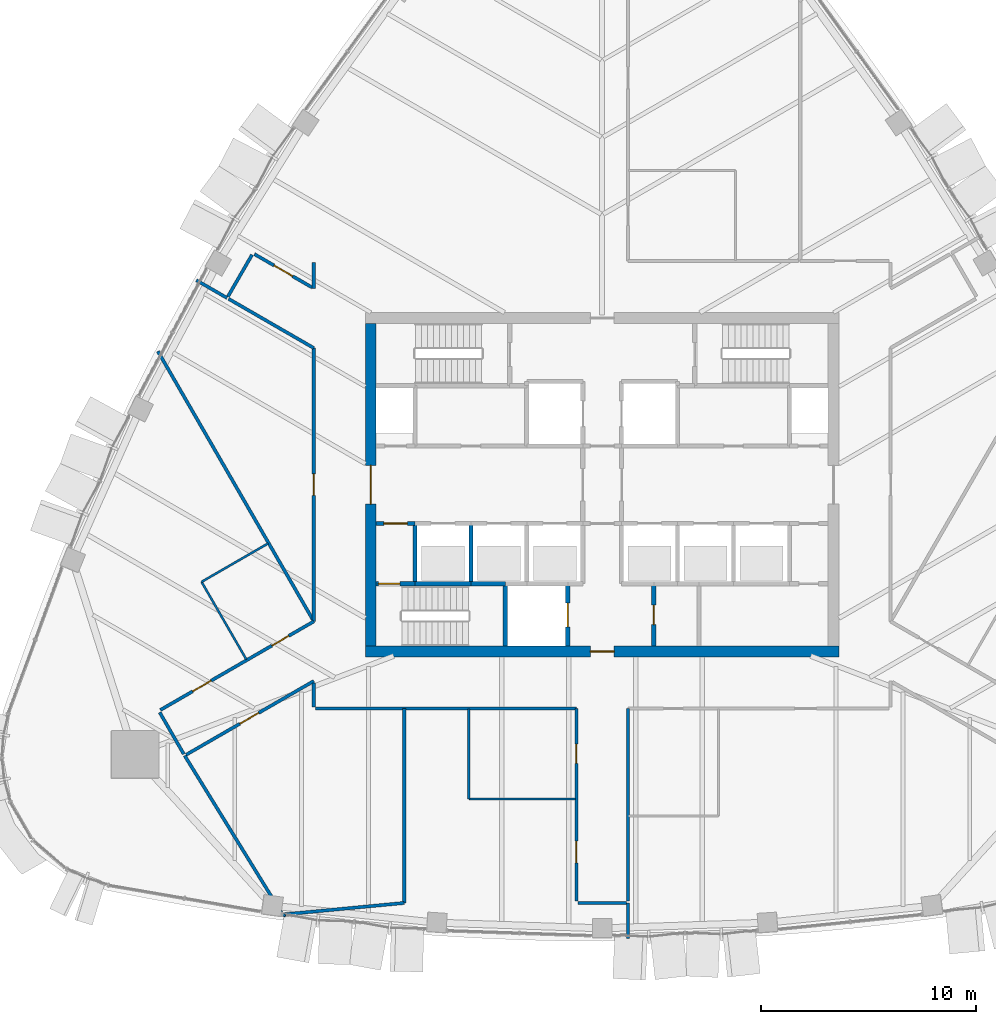
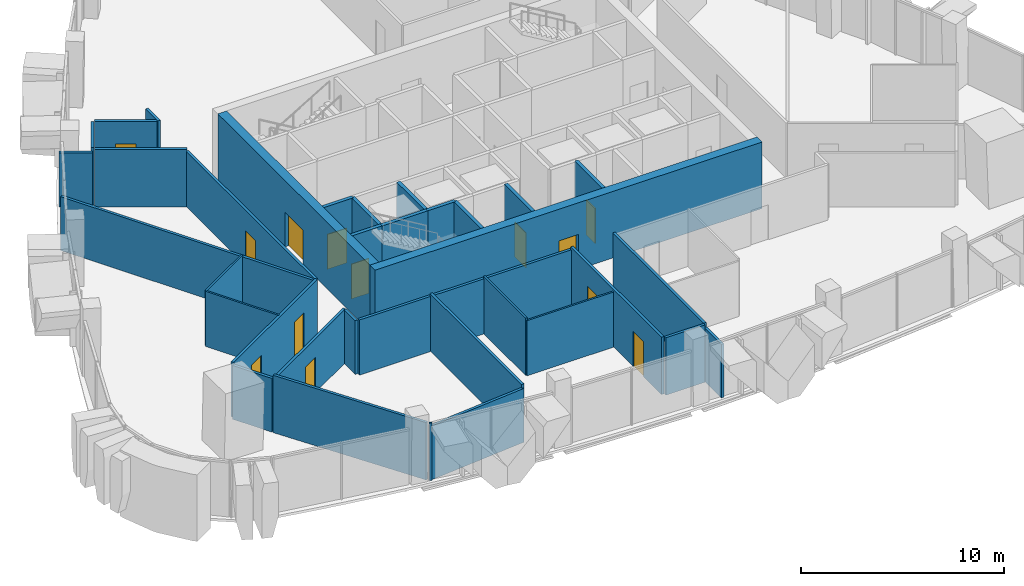
# One storey, part 11 of 18: 35 walls, 13 doors, 13 openings.
"""IFC4 building model written with IfcOpenShell, lengths in metres."""

from ifc_helpers import new_model, si_unit, direction, frame, frame_2d, origin, place, context, subcontext, project, spatial, rectangle, extrude, material, layer, layer_set, type_object, element, fill, save


model = new_model("IFC4")

# Units and contexts
model_context = context("Model", 3, precision=1e-05, world=origin(), true_north=direction((0.0, 1.0)))
body_context = subcontext(model_context, "Body", "Model", "MODEL_VIEW")
ifc_project = project(units=[si_unit("LENGTHUNIT", "METRE"), si_unit("AREAUNIT", "SQUARE_METRE"), si_unit("VOLUMEUNIT", "CUBIC_METRE"), si_unit("PLANEANGLEUNIT", "RADIAN"), si_unit("MASSUNIT", "GRAM", prefix="KILO")], contexts=[model_context])

# Site, building, storey
site_placement = place(None, origin())
site = spatial("IfcSite", under=ifc_project, at=site_placement, CompositionType="ELEMENT")
building_placement = place(site_placement, origin())
building = spatial("IfcBuilding", under=site, at=building_placement, Name="Sierra Prisma Convention Tower", CompositionType="ELEMENT")
storey_placement = place(building_placement, frame((0.0, 0.0, 251.0)))
storey = spatial("IfcBuildingStorey", under=building, at=storey_placement, Name="L56", CompositionType="ELEMENT", Elevation=251.0)

# Walls
ifc_material_1 = material(Name="Gypsum board partition", Category="gypsum")
ifc_layer_1 = layer(ifc_material_1, 0.10009765625)
ifc_layer_set_1 = layer_set([ifc_layer_1], Name="Bathroom partition 100")
wall_type_1 = type_object("IfcWallType", Name="Bathroom partition 100", PredefinedType="PARTITIONING", material=ifc_layer_set_1)
wall_1_placement = place(storey_placement, frame((-16.53271484375, -8.125, 0.0), z_axis=(0.0, 0.0, 1.0), x_axis=(-0.499967396439, 0.866044226641, 0.0)))
element("IfcWall", 1, at=wall_1_placement, inside=storey, type_object=wall_type_1, Name="Partition L56 bath 1", PredefinedType="PARTITIONING", context=body_context, shape_type="SweptSolid", body=[
    extrude(rectangle(XDim=4.170166015625, YDim=0.10009765625, at=frame_2d((2.0849609375, 0.0))), origin(), (0.0, 0.0, 1.0), 3.31689453125),
])
wall_2_placement = place(storey_placement, frame((-18.61767578125, -4.513427734375, 0.0), z_axis=(0.0, 0.0, 1.0), x_axis=(0.866042098853, 0.499971082179, 0.0)))
element("IfcWall", 2, at=wall_2_placement, inside=storey, type_object=wall_type_1, Name="Partition L56 bath 2", PredefinedType="PARTITIONING", context=body_context, shape_type="SweptSolid", body=[
    extrude(rectangle(XDim=3.570068359375, YDim=0.10009765625, at=frame_2d((1.78515625, 0.0))), origin(), (0.0, 0.0, 1.0), 3.31689453125),
])
wall_3_placement = place(storey_placement, frame((-1.22998046875, -14.60009765625, 0.0), z_axis=(0.0, 0.0, 1.0), x_axis=(-1.0, 0.0, 0.0)))
element("IfcWall", 3, at=wall_3_placement, inside=storey, type_object=wall_type_1, Name="Partition L56 bath 3", PredefinedType="PARTITIONING", context=body_context, shape_type="SweptSolid", body=[
    extrude(rectangle(XDim=4.969970703125, YDim=0.10009765625, at=frame_2d((2.48486328125, 0.0))), origin(), (0.0, 0.0, 1.0), 3.31689453125),
])
wall_4_placement = place(storey_placement, frame((-6.199951171875, -14.60009765625, 0.0), z_axis=(0.0, 0.0, 1.0), x_axis=(0.0, 1.0, 0.0)))
element("IfcWall", 4, at=wall_4_placement, inside=storey, type_object=wall_type_1, Name="Partition L56 bath 4", PredefinedType="PARTITIONING", context=body_context, shape_type="SweptSolid", body=[
    extrude(rectangle(XDim=4.170166015625, YDim=0.10009765625, at=frame_2d((2.0849609375, 0.0))), origin(), (0.0, 0.0, 1.0), 3.449951171875),
])

# Wall, opening, door
ifc_material_2 = material(Name="Concrete C30/37", Category="concrete")
ifc_layer_2 = layer(ifc_material_2, 0.199951171875)
ifc_layer_set_2 = layer_set([ifc_layer_2], Name="Core wall RC 200 C30/37")
wall_type_2 = type_object("IfcWallType", Name="Core wall RC 200 C30/37", PredefinedType="SOLIDWALL", material=ifc_layer_set_2)
wall_5_placement = place(storey_placement, frame((-10.5, -4.60009765625, 0.0), z_axis=(0.0, 0.0, 1.0), x_axis=(1.0, 0.0, 0.0)))
wall_5 = element("IfcWall", 5, at=wall_5_placement, inside=storey, type_object=wall_type_2, Name="Core wall L56 1", PredefinedType="SOLIDWALL", context=body_context, shape_type="SweptSolid", body=[
    extrude(rectangle(XDim=1.800048828125, YDim=0.199951171875, at=frame_2d((0.89990234375, 0.0))), origin(), (0.0, 0.0, 1.0), 3.85009765625),
])
opening_1_placement = place(wall_5_placement, frame((0.10009765625, 0.0, 0.0)))
opening_1 = element("IfcOpeningElement", 6, at=opening_1_placement, cuts=wall_5, Name="Opening L56-D017", PredefinedType="OPENING", context=body_context, shape_type="SweptSolid", body=[
    extrude(rectangle(XDim=1.0, YDim=2.10009765625, at=frame_2d((0.5, 1.050048828125))), frame((0.0, 0.10009765625, 0.0), z_axis=(0.0, -1.0, 0.0), x_axis=(1.0, 0.0, 0.0)), (0.0, 0.0, 1.0), 0.199951171875),
])
ifc_material_3 = material(Name="Steel fire door leaf", Category="steel")
door_type_1 = type_object("IfcDoorType", Name="Door 1000x2100 FD90S", OperationType="SINGLE_SWING_LEFT", PredefinedType="DOOR", material=ifc_material_3)
door_1_placement = place(opening_1_placement, origin())
door_1 = element("IfcDoor", 7, at=door_1_placement, inside=storey, type_object=door_type_1, Name="Door L56 32", OperationType="SINGLE_SWING_LEFT", OverallHeight=2.10009765625, OverallWidth=1.0, PredefinedType="DOOR", context=body_context, shape_type="SweptSolid", body=[
    extrude(rectangle(XDim=1.0, YDim=2.10009765625, at=frame_2d((0.5, 1.050048828125))), frame((0.0, 0.02490234375, 0.0), z_axis=(0.0, -1.0, 0.0), x_axis=(1.0, 0.0, 0.0)), (0.0, 0.0, 1.0), 0.050048828125),
])
fill(opening_1, door_1)

wall_6_placement = place(storey_placement, frame((-10.5, -1.800048828125, 0.0), z_axis=(0.0, 0.0, 1.0), x_axis=(1.0, 0.0, 0.0)))
wall_6 = element("IfcWall", 8, at=wall_6_placement, inside=storey, type_object=wall_type_2, Name="Core wall L56 2", PredefinedType="SOLIDWALL", context=body_context, shape_type="SweptSolid", body=[
    extrude(rectangle(XDim=1.800048828125, YDim=0.199951171875, at=frame_2d((0.89990234375, 0.0))), origin(), (0.0, 0.0, 1.0), 3.85009765625),
])
opening_2_placement = place(wall_6_placement, frame((0.35009765625, 0.0, 0.0)))
opening_2 = element("IfcOpeningElement", 9, at=opening_2_placement, cuts=wall_6, Name="Opening L56-D012", PredefinedType="OPENING", context=body_context, shape_type="SweptSolid", body=[
    extrude(rectangle(XDim=1.10009765625, YDim=2.10009765625, at=frame_2d((0.550048828125, 1.050048828125))), frame((0.0, 0.10009765625, 0.0), z_axis=(0.0, -1.0, 0.0), x_axis=(1.0, 0.0, 0.0)), (0.0, 0.0, 1.0), 0.199951171875),
])
ifc_material_4 = material(Name="Steel fire door leaf", Category="steel")
door_type_2 = type_object("IfcDoorType", Name="Door 1100x2100 FD90S", OperationType="SINGLE_SWING_LEFT", PredefinedType="DOOR", material=ifc_material_4)
door_2_placement = place(opening_2_placement, origin())
door_2 = element("IfcDoor", 10, at=door_2_placement, inside=storey, type_object=door_type_2, Name="Door L56 27", OperationType="SINGLE_SWING_LEFT", OverallHeight=2.10009765625, OverallWidth=1.10009765625, PredefinedType="DOOR", context=body_context, shape_type="SweptSolid", body=[
    extrude(rectangle(XDim=1.10009765625, YDim=2.10009765625, at=frame_2d((0.550048828125, 1.050048828125))), frame((0.0, 0.02490234375, 0.0), z_axis=(0.0, -1.0, 0.0), x_axis=(1.0, 0.0, 0.0)), (0.0, 0.0, 1.0), 0.050048828125),
])
fill(opening_2, door_2)

# Walls
wall_7_placement = place(storey_placement, frame((-8.699951171875, -4.60009765625, 0.0), z_axis=(0.0, 0.0, 1.0), x_axis=(1.0, 0.0, 0.0)))
element("IfcWall", 11, at=wall_7_placement, inside=storey, type_object=wall_type_2, Name="Core wall L56 5", PredefinedType="SOLIDWALL", context=body_context, shape_type="SweptSolid", body=[
    extrude(rectangle(XDim=2.599853515625, YDim=0.199951171875, at=frame_2d((1.2998046875, 0.0))), origin(), (0.0, 0.0, 1.0), 3.85009765625),
])
wall_8_placement = place(storey_placement, frame((-8.699951171875, -4.60009765625, 0.0), z_axis=(0.0, 0.0, 1.0), x_axis=(0.0, 1.0, 0.0)))
element("IfcWall", 12, at=wall_8_placement, inside=storey, type_object=wall_type_2, Name="Core wall L56 6", PredefinedType="SOLIDWALL", context=body_context, shape_type="SweptSolid", body=[
    extrude(rectangle(XDim=2.800048828125, YDim=0.199951171875, at=frame_2d((1.39990234375, 0.0))), origin(), (0.0, 0.0, 1.0), 3.85009765625),
])
wall_9_placement = place(storey_placement, frame((-6.10009765625, -4.60009765625, 0.0), z_axis=(0.0, 0.0, 1.0), x_axis=(1.0, 0.0, 0.0)))
element("IfcWall", 13, at=wall_9_placement, inside=storey, type_object=wall_type_2, Name="Core wall L56 11", PredefinedType="SOLIDWALL", context=body_context, shape_type="SweptSolid", body=[
    extrude(rectangle(XDim=1.60009765625, YDim=0.199951171875, at=frame_2d((0.800048828125, 0.0))), origin(), (0.0, 0.0, 1.0), 3.85009765625),
])
wall_10_placement = place(storey_placement, frame((-6.10009765625, -4.60009765625, 0.0), z_axis=(0.0, 0.0, 1.0), x_axis=(0.0, 1.0, 0.0)))
element("IfcWall", 14, at=wall_10_placement, inside=storey, type_object=wall_type_2, Name="Core wall L56 12", PredefinedType="SOLIDWALL", context=body_context, shape_type="SweptSolid", body=[
    extrude(rectangle(XDim=2.800048828125, YDim=0.199951171875, at=frame_2d((1.39990234375, 0.0))), origin(), (0.0, 0.0, 1.0), 3.85009765625),
])
wall_11_placement = place(storey_placement, frame((-4.5, -4.60009765625, 0.0), z_axis=(0.0, 0.0, 1.0), x_axis=(0.0, -1.0, 0.0)))
element("IfcWall", 15, at=wall_11_placement, inside=storey, type_object=wall_type_2, Name="Core wall L56 14", PredefinedType="SOLIDWALL", context=body_context, shape_type="SweptSolid", body=[
    extrude(rectangle(XDim=2.89990234375, YDim=0.199951171875, at=frame_2d((1.449951171875, 0.0))), origin(), (0.0, 0.0, 1.0), 3.85009765625),
])

# Wall, opening, door
wall_12_placement = place(storey_placement, frame((-1.60009765625, -7.5, 0.0), z_axis=(0.0, 0.0, 1.0), x_axis=(0.0, 1.0, 0.0)))
wall_12 = element("IfcWall", 16, at=wall_12_placement, inside=storey, type_object=wall_type_2, Name="Core wall L56 26", PredefinedType="SOLIDWALL", context=body_context, shape_type="SweptSolid", body=[
    extrude(rectangle(XDim=2.89990234375, YDim=0.199951171875, at=frame_2d((1.449951171875, 0.0))), origin(), (0.0, 0.0, 1.0), 3.85009765625),
])
opening_3_placement = place(wall_12_placement, frame((0.89990234375, 0.0, 0.0)))
opening_3 = element("IfcOpeningElement", 17, at=opening_3_placement, cuts=wall_12, Name="Opening L56-D009", PredefinedType="OPENING", context=body_context, shape_type="SweptSolid", body=[
    extrude(rectangle(XDim=1.10009765625, YDim=2.10009765625, at=frame_2d((0.550048828125, 1.050048828125))), frame((0.0, 0.10009765625, 0.0), z_axis=(0.0, -1.0, 0.0), x_axis=(1.0, 0.0, 0.0)), (0.0, 0.0, 1.0), 0.199951171875),
])
ifc_material_5 = material(Name="Steel fire door leaf", Category="steel")
door_type_3 = type_object("IfcDoorType", Name="Door 1100x2100 EI 90 sliding lift landing", OperationType="SLIDING_TO_LEFT", PredefinedType="DOOR", material=ifc_material_5)
door_3_placement = place(opening_3_placement, origin())
door_3 = element("IfcDoor", 18, at=door_3_placement, inside=storey, type_object=door_type_3, Name="Door L56 24", OperationType="SLIDING_TO_LEFT", OverallHeight=2.10009765625, OverallWidth=1.10009765625, PredefinedType="DOOR", context=body_context, shape_type="SweptSolid", body=[
    extrude(rectangle(XDim=1.10009765625, YDim=2.10009765625, at=frame_2d((0.550048828125, 1.050048828125))), frame((0.0, 0.02490234375, 0.0), z_axis=(0.0, -1.0, 0.0), x_axis=(1.0, 0.0, 0.0)), (0.0, 0.0, 1.0), 0.050048828125),
])
fill(opening_3, door_3)

wall_13_placement = place(storey_placement, frame((2.39990234375, -4.60009765625, 0.0), z_axis=(0.0, 0.0, 1.0), x_axis=(0.0, -1.0, 0.0)))
wall_13 = element("IfcWall", 19, at=wall_13_placement, inside=storey, type_object=wall_type_2, Name="Core wall L56 40", PredefinedType="SOLIDWALL", context=body_context, shape_type="SweptSolid", body=[
    extrude(rectangle(XDim=2.89990234375, YDim=0.199951171875, at=frame_2d((1.449951171875, 0.0))), origin(), (0.0, 0.0, 1.0), 3.85009765625),
])
opening_4_placement = place(wall_13_placement, frame((1.0, 0.0, 0.0)))
opening_4 = element("IfcOpeningElement", 20, at=opening_4_placement, cuts=wall_13, Name="Opening L56-D024", PredefinedType="OPENING", context=body_context, shape_type="SweptSolid", body=[
    extrude(rectangle(XDim=0.89990234375, YDim=2.10009765625, at=frame_2d((0.449951171875, 1.050048828125))), frame((0.0, 0.10009765625, 0.0), z_axis=(0.0, -1.0, 0.0), x_axis=(1.0, 0.0, 0.0)), (0.0, 0.0, 1.0), 0.199951171875),
])
ifc_material_6 = material(Name="Steel fire door leaf", Category="steel")
door_type_4 = type_object("IfcDoorType", Name="Door 900x2100 FD30S", OperationType="SINGLE_SWING_LEFT", PredefinedType="DOOR", material=ifc_material_6)
door_4_placement = place(opening_4_placement, origin())
door_4 = element("IfcDoor", 21, at=door_4_placement, inside=storey, type_object=door_type_4, Name="Door L56 39", OperationType="SINGLE_SWING_RIGHT", OverallHeight=2.10009765625, OverallWidth=0.89990234375, PredefinedType="DOOR", context=body_context, shape_type="SweptSolid", body=[
    extrude(rectangle(XDim=0.89990234375, YDim=2.10009765625, at=frame_2d((0.449951171875, 1.050048828125))), frame((0.0, 0.02490234375, 0.0), z_axis=(0.0, -1.0, 0.0), x_axis=(1.0, 0.0, 0.0)), (0.0, 0.0, 1.0), 0.050048828125),
])
fill(opening_4, door_4)

ifc_material_7 = material(Name="Concrete C50/60", Category="concrete")
ifc_layer_3 = layer(ifc_material_7, 0.5)
ifc_layer_set_3 = layer_set([ifc_layer_3], Name="Core wall RC 500 C50/60")
wall_type_3 = type_object("IfcWallType", Name="Core wall RC 500 C50/60", PredefinedType="SHEAR", material=ifc_layer_set_3)
wall_14_placement = place(storey_placement, frame((-11.0, -7.75, 0.0), z_axis=(0.0, 0.0, 1.0), x_axis=(1.0, 0.0, 0.0)))
wall_14 = element("IfcWall", 22, at=wall_14_placement, inside=storey, type_object=wall_type_3, Name="Core wall S L56", PredefinedType="SHEAR", context=body_context, shape_type="SweptSolid", body=[
    extrude(rectangle(XDim=22.0, YDim=0.5, at=frame_2d((11.0, 0.0))), origin(), (0.0, 0.0, 1.0), 4.0),
])
opening_5_placement = place(wall_14_placement, frame((10.449951171875, 0.0, 0.0)))
opening_5 = element("IfcOpeningElement", 23, at=opening_5_placement, cuts=wall_14, Name="Opening L56-D042", PredefinedType="OPENING", context=body_context, shape_type="SweptSolid", body=[
    extrude(rectangle(XDim=1.10009765625, YDim=2.10009765625, at=frame_2d((0.550048828125, 1.050048828125))), frame((0.0, 0.25, 0.0), z_axis=(0.0, -1.0, 0.0), x_axis=(1.0, 0.0, 0.0)), (0.0, 0.0, 1.0), 0.5),
])
ifc_material_8 = material(Name="Steel fire door leaf", Category="steel")
door_type_5 = type_object("IfcDoorType", Name="Door 1100x2100 FD30S", OperationType="SINGLE_SWING_LEFT", PredefinedType="DOOR", material=ifc_material_8)
door_5_placement = place(opening_5_placement, origin())
door_5 = element("IfcDoor", 24, at=door_5_placement, inside=storey, type_object=door_type_5, Name="Door L56 43", OperationType="SINGLE_SWING_LEFT", OverallHeight=2.10009765625, OverallWidth=1.10009765625, PredefinedType="DOOR", context=body_context, shape_type="SweptSolid", body=[
    extrude(rectangle(XDim=1.10009765625, YDim=2.10009765625, at=frame_2d((0.550048828125, 1.050048828125))), frame((0.0, 0.02490234375, 0.0), z_axis=(0.0, -1.0, 0.0), x_axis=(1.0, 0.0, 0.0)), (0.0, 0.0, 1.0), 0.050048828125),
])
fill(opening_5, door_5)

wall_15_placement = place(storey_placement, frame((-10.75, -7.5, 0.0), z_axis=(0.0, 0.0, 1.0), x_axis=(0.0, 1.0, 0.0)))
wall_15 = element("IfcWall", 25, at=wall_15_placement, inside=storey, type_object=wall_type_3, Name="Core wall W L56", PredefinedType="SHEAR", context=body_context, shape_type="SweptSolid", body=[
    extrude(rectangle(XDim=15.0, YDim=0.5, at=frame_2d((7.5, 0.0))), origin(), (0.0, 0.0, 1.0), 4.0),
])
opening_6_placement = place(wall_15_placement, frame((6.60009765625, 0.0, 0.0)))
opening_6 = element("IfcOpeningElement", 26, at=opening_6_placement, cuts=wall_15, Name="Opening L56-D043", PredefinedType="OPENING", context=body_context, shape_type="SweptSolid", body=[
    extrude(rectangle(XDim=1.800048828125, YDim=2.10009765625, at=frame_2d((0.89990234375, 1.050048828125))), frame((0.0, 0.25, 0.0), z_axis=(0.0, -1.0, 0.0), x_axis=(1.0, 0.0, 0.0)), (0.0, 0.0, 1.0), 0.5),
])
ifc_material_9 = material(Name="Steel fire door leaf", Category="steel")
door_type_6 = type_object("IfcDoorType", Name="Door 1800x2100 FD60S", OperationType="DOUBLE_DOOR_SINGLE_SWING", PredefinedType="DOOR", material=ifc_material_9)
door_6_placement = place(opening_6_placement, origin())
door_6 = element("IfcDoor", 27, at=door_6_placement, inside=storey, type_object=door_type_6, Name="Door L56 40", OperationType="DOUBLE_DOOR_SINGLE_SWING", OverallHeight=2.10009765625, OverallWidth=1.800048828125, PredefinedType="DOOR", context=body_context, shape_type="SweptSolid", body=[
    extrude(rectangle(XDim=1.800048828125, YDim=2.10009765625, at=frame_2d((0.89990234375, 1.050048828125))), frame((0.0, 0.02490234375, 0.0), z_axis=(0.0, -1.0, 0.0), x_axis=(1.0, 0.0, 0.0)), (0.0, 0.0, 1.0), 0.050048828125),
])
fill(opening_6, door_6)

# Wall
ifc_material_10 = material(Name="Gypsum board partition", Category="gypsum")
ifc_layer_4 = layer(ifc_material_10, 0.14990234375)
ifc_layer_set_4 = layer_set([ifc_layer_4], Name="Corridor wall 150 gypsum EI 60")
wall_type_4 = type_object("IfcWallType", Name="Corridor wall 150 gypsum EI 60", PredefinedType="PARTITIONING", material=ifc_layer_set_4)
wall_16_placement = place(storey_placement, frame((-20.5625, -10.57861328125, 0.0), z_axis=(0.0, 0.0, 1.0), x_axis=(0.49994888933, -0.866054910533, 0.0)))
element("IfcWall", 28, at=wall_16_placement, inside=storey, type_object=wall_type_4, Name="Partition L56 corr 1", PredefinedType="PARTITIONING", context=body_context, shape_type="SweptSolid", body=[
    extrude(rectangle(XDim=2.239990234375, YDim=0.14990234375, at=frame_2d((1.1201171875, 0.0))), origin(), (0.0, 0.0, 1.0), 3.23291015625),
])

# Wall, openings, doors
wall_17_placement = place(storey_placement, frame((-13.39990234375, -6.350830078125, 0.0), z_axis=(0.0, 0.0, 1.0), x_axis=(-0.866025662596, -0.499999551726, 0.0)))
wall_17 = element("IfcWall", 29, at=wall_17_placement, inside=storey, type_object=wall_type_4, Name="Partition L56 corr 2", PredefinedType="PARTITIONING", context=body_context, shape_type="SweptSolid", body=[
    extrude(rectangle(XDim=8.23681640625, YDim=0.14990234375, at=frame_2d((4.118408203125, 0.0))), origin(), (0.0, 0.0, 1.0), 3.31689453125),
])
opening_7_placement = place(wall_17_placement, frame((1.35009765625, 0.0, 0.0)))
opening_7 = element("IfcOpeningElement", 30, at=opening_7_placement, cuts=wall_17, Name="Opening L56-D031", PredefinedType="OPENING", context=body_context, shape_type="SweptSolid", body=[
    extrude(rectangle(XDim=0.89990234375, YDim=2.10009765625, at=frame_2d((0.449951171875, 1.050048828125))), frame((0.0, 0.074951171875, 0.0), z_axis=(0.0, -1.0, 0.0), x_axis=(1.0, 0.0, 0.0)), (0.0, 0.0, 1.0), 0.14990234375),
])
opening_8_placement = place(wall_17_placement, frame((5.508544921875, 0.0, 0.0)))
opening_8 = element("IfcOpeningElement", 31, at=opening_8_placement, cuts=wall_17, Name="Opening L56-D032", PredefinedType="OPENING", context=body_context, shape_type="SweptSolid", body=[
    extrude(rectangle(XDim=1.0, YDim=2.10009765625, at=frame_2d((0.5, 1.050048828125))), frame((0.0, 0.074951171875, 0.0), z_axis=(0.0, -1.0, 0.0), x_axis=(1.0, 0.0, 0.0)), (0.0, 0.0, 1.0), 0.14990234375),
])
ifc_material_11 = material(Name="Steel fire door leaf", Category="steel")
door_type_7 = type_object("IfcDoorType", Name="Door 1000x2100 FD30S", OperationType="SINGLE_SWING_LEFT", PredefinedType="DOOR", material=ifc_material_11)
door_7_placement = place(opening_8_placement, origin())
door_7 = element("IfcDoor", 32, at=door_7_placement, inside=storey, type_object=door_type_7, Name="Door L56 8", OperationType="SINGLE_SWING_LEFT", OverallHeight=2.10009765625, OverallWidth=1.0, PredefinedType="DOOR", context=body_context, shape_type="SweptSolid", body=[
    extrude(rectangle(XDim=1.0, YDim=2.10009765625, at=frame_2d((0.5, 1.050048828125))), frame((0.0, 0.02490234375, 0.0), z_axis=(0.0, -1.0, 0.0), x_axis=(1.0, 0.0, 0.0)), (0.0, 0.0, 1.0), 0.050048828125),
])
fill(opening_8, door_7)
door_8_placement = place(opening_7_placement, origin())
door_8 = element("IfcDoor", 33, at=door_8_placement, inside=storey, type_object=door_type_4, Name="Door L56 7", OperationType="SINGLE_SWING_RIGHT", OverallHeight=2.10009765625, OverallWidth=0.89990234375, PredefinedType="DOOR", context=body_context, shape_type="SweptSolid", body=[
    extrude(rectangle(XDim=0.89990234375, YDim=2.10009765625, at=frame_2d((0.449951171875, 1.050048828125))), frame((0.0, 0.02490234375, 0.0), z_axis=(0.0, -1.0, 0.0), x_axis=(1.0, 0.0, 0.0)), (0.0, 0.0, 1.0), 0.050048828125),
])
fill(opening_7, door_8)

# Wall, opening, door
wall_18_placement = place(storey_placement, frame((-19.333251953125, -12.547607421875, 0.0), z_axis=(0.0, 0.0, 1.0), x_axis=(0.866030705461, 0.499990817114, 0.0)))
wall_18 = element("IfcWall", 34, at=wall_18_placement, inside=storey, type_object=wall_type_4, Name="Partition L56 corr 3", PredefinedType="PARTITIONING", context=body_context, shape_type="SweptSolid", body=[
    extrude(rectangle(XDim=6.851318359375, YDim=0.14990234375, at=frame_2d((3.42578125, 0.0))), origin(), (0.0, 0.0, 1.0), 3.23291015625),
])
opening_9_placement = place(wall_18_placement, frame((2.885498046875, 0.0, 0.0)))
opening_9 = element("IfcOpeningElement", 35, at=opening_9_placement, cuts=wall_18, Name="Opening L56-D033", PredefinedType="OPENING", context=body_context, shape_type="SweptSolid", body=[
    extrude(rectangle(XDim=1.0, YDim=2.10009765625, at=frame_2d((0.5, 1.050048828125))), frame((0.0, 0.074951171875, 0.0), z_axis=(0.0, -1.0, 0.0), x_axis=(1.0, 0.0, 0.0)), (0.0, 0.0, 1.0), 0.14990234375),
])
door_9_placement = place(opening_9_placement, origin())
door_9 = element("IfcDoor", 36, at=door_9_placement, inside=storey, type_object=door_type_7, Name="Door L56 9", OperationType="SINGLE_SWING_LEFT", OverallHeight=2.10009765625, OverallWidth=1.0, PredefinedType="DOOR", context=body_context, shape_type="SweptSolid", body=[
    extrude(rectangle(XDim=1.0, YDim=2.10009765625, at=frame_2d((0.5, 1.050048828125))), frame((0.0, 0.02490234375, 0.0), z_axis=(0.0, -1.0, 0.0), x_axis=(1.0, 0.0, 0.0)), (0.0, 0.0, 1.0), 0.050048828125),
])
fill(opening_9, door_9)

# Walls
wall_19_placement = place(storey_placement, frame((-13.39990234375, -9.213623046875, 0.0), z_axis=(0.0, 0.0, 1.0), x_axis=(0.0, -1.0, 0.0)))
element("IfcWall", 37, at=wall_19_placement, inside=storey, type_object=wall_type_4, Name="Partition L56 corr 4", PredefinedType="PARTITIONING", context=body_context, shape_type="SweptSolid", body=[
    extrude(rectangle(XDim=1.1064453125, YDim=0.14990234375, at=frame_2d((0.55322265625, 0.0))), origin(), (0.0, 0.0, 1.0), 3.23291015625),
])
wall_20_placement = place(storey_placement, frame((-16.2705078125, 10.68701171875, 0.0), z_axis=(0.0, 0.0, 1.0), x_axis=(-0.500077830873, -0.865980463445, 0.0)))
element("IfcWall", 38, at=wall_20_placement, inside=storey, type_object=wall_type_4, Name="Partition L56 corr 5", PredefinedType="PARTITIONING", context=body_context, shape_type="SweptSolid", body=[
    extrude(rectangle(XDim=2.239990234375, YDim=0.14990234375, at=frame_2d((1.1201171875, 0.0))), origin(), (0.0, 0.0, 1.0), 3.449951171875),
])
wall_21_placement = place(storey_placement, frame((-17.361328125, 8.637939453125, 0.0), z_axis=(0.0, 0.0, 1.0), x_axis=(0.866027379035, -0.49999657875, 0.0)))
element("IfcWall", 39, at=wall_21_placement, inside=storey, type_object=wall_type_4, Name="Partition L56 corr 6", PredefinedType="PARTITIONING", context=body_context, shape_type="SweptSolid", body=[
    extrude(rectangle(XDim=4.57421875, YDim=0.14990234375, at=frame_2d((2.287109375, 0.0))), origin(), (0.0, 0.0, 1.0), 3.449951171875),
])

# Wall, opening, door
wall_22_placement = place(storey_placement, frame((-13.39990234375, 6.350830078125, 0.0), z_axis=(0.0, 0.0, 1.0), x_axis=(0.0, -1.0, 0.0)))
wall_22 = element("IfcWall", 40, at=wall_22_placement, inside=storey, type_object=wall_type_4, Name="Partition L56 corr 7", PredefinedType="PARTITIONING", context=body_context, shape_type="SweptSolid", body=[
    extrude(rectangle(XDim=12.70166015625, YDim=0.14990234375, at=frame_2d((6.350830078125, 0.0))), origin(), (0.0, 0.0, 1.0), 3.31689453125),
])
opening_10_placement = place(wall_22_placement, frame((5.850830078125, 0.0, 0.0)))
opening_10 = element("IfcOpeningElement", 41, at=opening_10_placement, cuts=wall_22, Name="Opening L56-D030", PredefinedType="OPENING", context=body_context, shape_type="SweptSolid", body=[
    extrude(rectangle(XDim=1.0, YDim=2.10009765625, at=frame_2d((0.5, 1.050048828125))), frame((0.0, 0.074951171875, 0.0), z_axis=(0.0, -1.0, 0.0), x_axis=(1.0, 0.0, 0.0)), (0.0, 0.0, 1.0), 0.14990234375),
])
door_10_placement = place(opening_10_placement, origin())
door_10 = element("IfcDoor", 42, at=door_10_placement, inside=storey, type_object=door_type_7, Name="Door L56 6", OperationType="SINGLE_SWING_RIGHT", OverallHeight=2.10009765625, OverallWidth=1.0, PredefinedType="DOOR", context=body_context, shape_type="SweptSolid", body=[
    extrude(rectangle(XDim=1.0, YDim=2.10009765625, at=frame_2d((0.5, 1.050048828125))), frame((0.0, 0.02490234375, 0.0), z_axis=(0.0, -1.0, 0.0), x_axis=(1.0, 0.0, 0.0)), (0.0, 0.0, 1.0), 0.050048828125),
])
fill(opening_10, door_10)

# Wall
wall_23_placement = place(storey_placement, frame((-13.39990234375, 10.320068359375, 0.0), z_axis=(0.0, 0.0, 1.0), x_axis=(0.0, -1.0, 0.0)))
element("IfcWall", 43, at=wall_23_placement, inside=storey, type_object=wall_type_4, Name="Partition L56 corr 8", PredefinedType="PARTITIONING", context=body_context, shape_type="SweptSolid", body=[
    extrude(rectangle(XDim=1.197998046875, YDim=0.14990234375, at=frame_2d((0.59912109375, 0.0))), origin(), (0.0, 0.0, 1.0), 3.449951171875),
])

# Wall, opening, door
wall_24_placement = place(storey_placement, frame((-13.479248046875, 9.16796875, 0.0), z_axis=(0.0, 0.0, 1.0), x_axis=(-0.866051688794, 0.499954470265, 0.0)))
wall_24 = element("IfcWall", 44, at=wall_24_placement, inside=storey, type_object=wall_type_4, Name="Partition L56 corr 9", PredefinedType="PARTITIONING", context=body_context, shape_type="SweptSolid", body=[
    extrude(rectangle(XDim=3.096923828125, YDim=0.14990234375, at=frame_2d((1.54833984375, 0.0))), origin(), (0.0, 0.0, 1.0), 3.449951171875),
])
opening_11_placement = place(wall_24_placement, frame((1.042724609375, 0.0, 0.0)))
opening_11 = element("IfcOpeningElement", 45, at=opening_11_placement, cuts=wall_24, Name="Opening L56-D029", PredefinedType="OPENING", context=body_context, shape_type="SweptSolid", body=[
    extrude(rectangle(XDim=1.0, YDim=2.10009765625, at=frame_2d((0.5, 1.050048828125))), frame((0.0, 0.074951171875, 0.0), z_axis=(0.0, -1.0, 0.0), x_axis=(1.0, 0.0, 0.0)), (0.0, 0.0, 1.0), 0.14990234375),
])
door_11_placement = place(opening_11_placement, origin())
door_11 = element("IfcDoor", 46, at=door_11_placement, inside=storey, type_object=door_type_7, Name="Door L56 5", OperationType="SINGLE_SWING_RIGHT", OverallHeight=2.10009765625, OverallWidth=1.0, PredefinedType="DOOR", context=body_context, shape_type="SweptSolid", body=[
    extrude(rectangle(XDim=1.0, YDim=2.10009765625, at=frame_2d((0.5, 1.050048828125))), frame((0.0, 0.02490234375, 0.0), z_axis=(0.0, -1.0, 0.0), x_axis=(1.0, 0.0, 0.0)), (0.0, 0.0, 1.0), 0.050048828125),
])
fill(opening_11, door_11)

# Wall
wall_25_placement = place(storey_placement, frame((-13.320068359375, -10.39990234375, 0.0), z_axis=(0.0, 0.0, 1.0), x_axis=(1.0, 0.0, 0.0)))
element("IfcWall", 47, at=wall_25_placement, inside=storey, type_object=wall_type_4, Name="Partition L56 corr 10", PredefinedType="PARTITIONING", context=body_context, shape_type="SweptSolid", body=[
    extrude(rectangle(XDim=12.1201171875, YDim=0.14990234375, at=frame_2d((6.06005859375, 0.0))), origin(), (0.0, 0.0, 1.0), 3.31689453125),
])

# Wall, openings, doors
wall_26_placement = place(storey_placement, frame((-1.199951171875, -10.39990234375, 0.0), z_axis=(0.0, 0.0, 1.0), x_axis=(0.0, -1.0, 0.0)))
wall_26 = element("IfcWall", 48, at=wall_26_placement, inside=storey, type_object=wall_type_4, Name="Partition L56 corr 11", PredefinedType="PARTITIONING", context=body_context, shape_type="SweptSolid", body=[
    extrude(rectangle(XDim=8.954345703125, YDim=0.14990234375, at=frame_2d((4.47705078125, 0.0))), origin(), (0.0, 0.0, 1.0), 3.449951171875),
])
opening_12_placement = place(wall_26_placement, frame((1.64990234375, 0.0, 0.0)))
opening_12 = element("IfcOpeningElement", 49, at=opening_12_placement, cuts=wall_26, Name="Opening L56-D034", PredefinedType="OPENING", context=body_context, shape_type="SweptSolid", body=[
    extrude(rectangle(XDim=0.89990234375, YDim=2.10009765625, at=frame_2d((0.449951171875, 1.050048828125))), frame((0.0, 0.074951171875, 0.0), z_axis=(0.0, -1.0, 0.0), x_axis=(1.0, 0.0, 0.0)), (0.0, 0.0, 1.0), 0.14990234375),
])
opening_13_placement = place(wall_26_placement, frame((6.1669921875, 0.0, 0.0)))
opening_13 = element("IfcOpeningElement", 50, at=opening_13_placement, cuts=wall_26, Name="Opening L56-D035", PredefinedType="OPENING", context=body_context, shape_type="SweptSolid", body=[
    extrude(rectangle(XDim=1.0, YDim=2.10009765625, at=frame_2d((0.5, 1.050048828125))), frame((0.0, 0.074951171875, 0.0), z_axis=(0.0, -1.0, 0.0), x_axis=(1.0, 0.0, 0.0)), (0.0, 0.0, 1.0), 0.14990234375),
])
door_12_placement = place(opening_13_placement, origin())
door_12 = element("IfcDoor", 51, at=door_12_placement, inside=storey, type_object=door_type_7, Name="Door L56 11", OperationType="SINGLE_SWING_RIGHT", OverallHeight=2.10009765625, OverallWidth=1.0, PredefinedType="DOOR", context=body_context, shape_type="SweptSolid", body=[
    extrude(rectangle(XDim=1.0, YDim=2.10009765625, at=frame_2d((0.5, 1.050048828125))), frame((0.0, 0.02490234375, 0.0), z_axis=(0.0, -1.0, 0.0), x_axis=(1.0, 0.0, 0.0)), (0.0, 0.0, 1.0), 0.050048828125),
])
fill(opening_13, door_12)
door_13_placement = place(opening_12_placement, origin())
door_13 = element("IfcDoor", 52, at=door_13_placement, inside=storey, type_object=door_type_4, Name="Door L56 10", OperationType="SINGLE_SWING_LEFT", OverallHeight=2.10009765625, OverallWidth=0.89990234375, PredefinedType="DOOR", context=body_context, shape_type="SweptSolid", body=[
    extrude(rectangle(XDim=0.89990234375, YDim=2.10009765625, at=frame_2d((0.449951171875, 1.050048828125))), frame((0.0, 0.02490234375, 0.0), z_axis=(0.0, -1.0, 0.0), x_axis=(1.0, 0.0, 0.0)), (0.0, 0.0, 1.0), 0.050048828125),
])
fill(opening_12, door_13)

# Walls
wall_27_placement = place(storey_placement, frame((-1.1201171875, -19.434326171875, 0.0), z_axis=(0.0, 0.0, 1.0), x_axis=(1.0, 0.0, 0.0)))
element("IfcWall", 53, at=wall_27_placement, inside=storey, type_object=wall_type_4, Name="Partition L56 corr 12", PredefinedType="PARTITIONING", context=body_context, shape_type="SweptSolid", body=[
    extrude(rectangle(XDim=2.240234375, YDim=0.14990234375, at=frame_2d((1.1201171875, 0.0))), origin(), (0.0, 0.0, 1.0), 3.449951171875),
])
wall_28_placement = place(storey_placement, frame((1.199951171875, -19.354248046875, 0.0), z_axis=(0.0, 0.0, 1.0), x_axis=(0.0, 1.0, 0.0)))
element("IfcWall", 54, at=wall_28_placement, inside=storey, type_object=wall_type_4, Name="Partition L56 corr 14", PredefinedType="PARTITIONING", context=body_context, shape_type="SweptSolid", body=[
    extrude(rectangle(XDim=8.954345703125, YDim=0.14990234375, at=frame_2d((4.47705078125, 0.0))), origin(), (0.0, 0.0, 1.0), 3.449951171875),
])
ifc_material_12 = material(Name="Gypsum board partition", Category="gypsum")
ifc_layer_5 = layer(ifc_material_12, 0.14990234375)
ifc_layer_set_5 = layer_set([ifc_layer_5], Name="Party wall 150 gypsum")
wall_type_5 = type_object("IfcWallType", Name="Party wall 150 gypsum", PredefinedType="PARTITIONING", material=ifc_layer_set_5)
wall_29_placement = place(storey_placement, frame((-13.39990234375, -6.350830078125, 0.0), z_axis=(0.0, 0.0, 1.0), x_axis=(-0.500014063744, 0.866017283926, 0.0)))
element("IfcWall", 55, at=wall_29_placement, inside=storey, type_object=wall_type_5, Name="Partition L56 party 1", PredefinedType="PARTITIONING", context=body_context, shape_type="SweptSolid", body=[
    extrude(rectangle(XDim=14.494140625, YDim=0.14990234375, at=frame_2d((7.2470703125, 0.0))), origin(), (0.0, 0.0, 1.0), 3.23388671875),
])
wall_30_placement = place(storey_placement, frame((-19.402587890625, -12.587646484375, 0.0), z_axis=(0.0, 0.0, 1.0), x_axis=(0.524407622251, -0.851467348596, 0.0)))
element("IfcWall", 56, at=wall_30_placement, inside=storey, type_object=wall_type_5, Name="Partition L56 party 2", PredefinedType="PARTITIONING", context=body_context, shape_type="SweptSolid", body=[
    extrude(rectangle(XDim=8.56201171875, YDim=0.14990234375, at=frame_2d((4.281005859375, 0.0))), origin(), (0.0, 0.0, 1.0), 3.449951171875),
])
wall_31_placement = place(storey_placement, frame((-17.4306640625, 8.677978515625, 0.0), z_axis=(0.0, 0.0, 1.0), x_axis=(-0.866067297121, 0.499927431592, 0.0)))
element("IfcWall", 57, at=wall_31_placement, inside=storey, type_object=wall_type_5, Name="Partition L56 party 3", PredefinedType="PARTITIONING", context=body_context, shape_type="SweptSolid", body=[
    extrude(rectangle(XDim=1.649658203125, YDim=0.14990234375, at=frame_2d((0.82470703125, 0.0))), origin(), (0.0, 0.0, 1.0), 3.23388671875),
])
wall_32_placement = place(storey_placement, frame((-9.199951171875, -10.39990234375, 0.0), z_axis=(0.0, 0.0, 1.0), x_axis=(0.0, -1.0, 0.0)))
element("IfcWall", 58, at=wall_32_placement, inside=storey, type_object=wall_type_5, Name="Partition L56 party 4", PredefinedType="PARTITIONING", context=body_context, shape_type="SweptSolid", body=[
    extrude(rectangle(XDim=9.034423828125, YDim=0.14990234375, at=frame_2d((4.51708984375, 0.0))), origin(), (0.0, 0.0, 1.0), 3.449951171875),
])
wall_33_placement = place(storey_placement, frame((-9.199951171875, -19.434326171875, 0.0), z_axis=(0.0, 0.0, 1.0), x_axis=(-0.995486828172, -0.094899815256, 0.0)))
element("IfcWall", 59, at=wall_33_placement, inside=storey, type_object=wall_type_5, Name="Partition L56 party 5", PredefinedType="PARTITIONING", context=body_context, shape_type="SweptSolid", body=[
    extrude(rectangle(XDim=5.587646484375, YDim=0.14990234375, at=frame_2d((2.7939453125, 0.0))), origin(), (0.0, 0.0, 1.0), 3.23388671875),
])
wall_34_placement = place(storey_placement, frame((-14.8125, -20.051025390625, 0.0), z_axis=(0.0, 0.0, 1.0), x_axis=(0.448990893469, 0.893536332547, 0.0)))
element("IfcWall", 60, at=wall_34_placement, inside=storey, type_object=wall_type_5, Name="Partition L56 party 6", PredefinedType="PARTITIONING", context=body_context, shape_type="SweptSolid", body=[
    extrude(rectangle(XDim=0.10986328125, YDim=0.14990234375, at=frame_2d((0.054931640625, 0.0))), origin(), (0.0, 0.0, 1.0), 3.449951171875),
])
wall_35_placement = place(storey_placement, frame((1.199951171875, -19.434326171875, 0.0), z_axis=(0.0, 0.0, 1.0), x_axis=(0.0, -1.0, 0.0)))
element("IfcWall", 61, at=wall_35_placement, inside=storey, type_object=wall_type_5, Name="Partition L56 party 7", PredefinedType="PARTITIONING", context=body_context, shape_type="SweptSolid", body=[
    extrude(rectangle(XDim=1.649658203125, YDim=0.14990234375, at=frame_2d((0.82470703125, 0.0))), origin(), (0.0, 0.0, 1.0), 3.23388671875),
])

save(model, "model.ifc")
